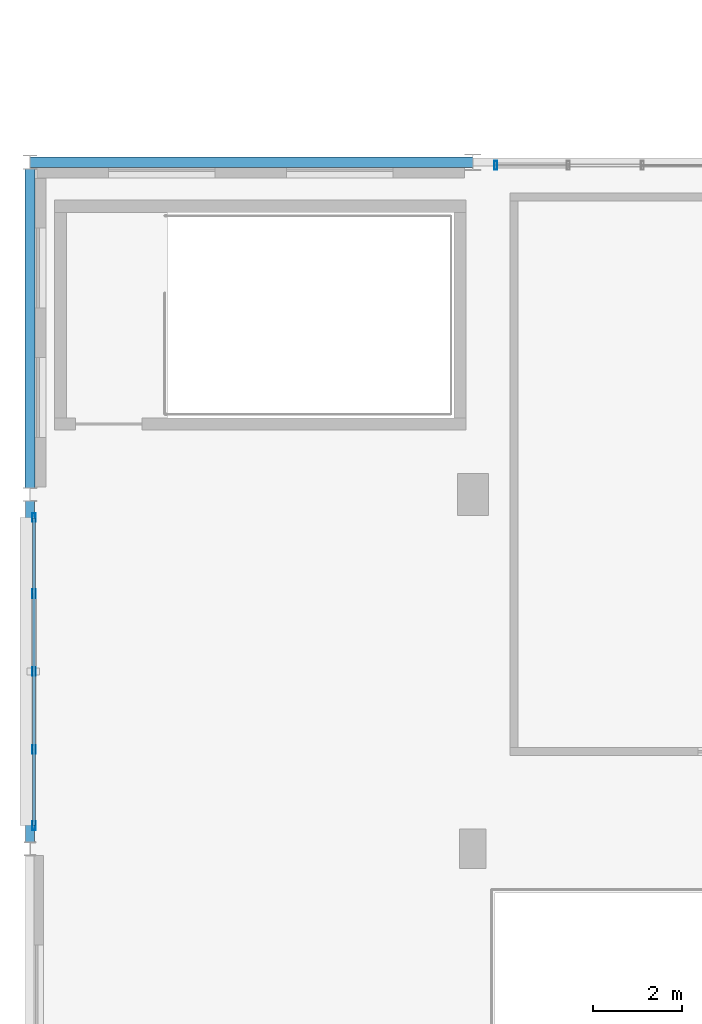
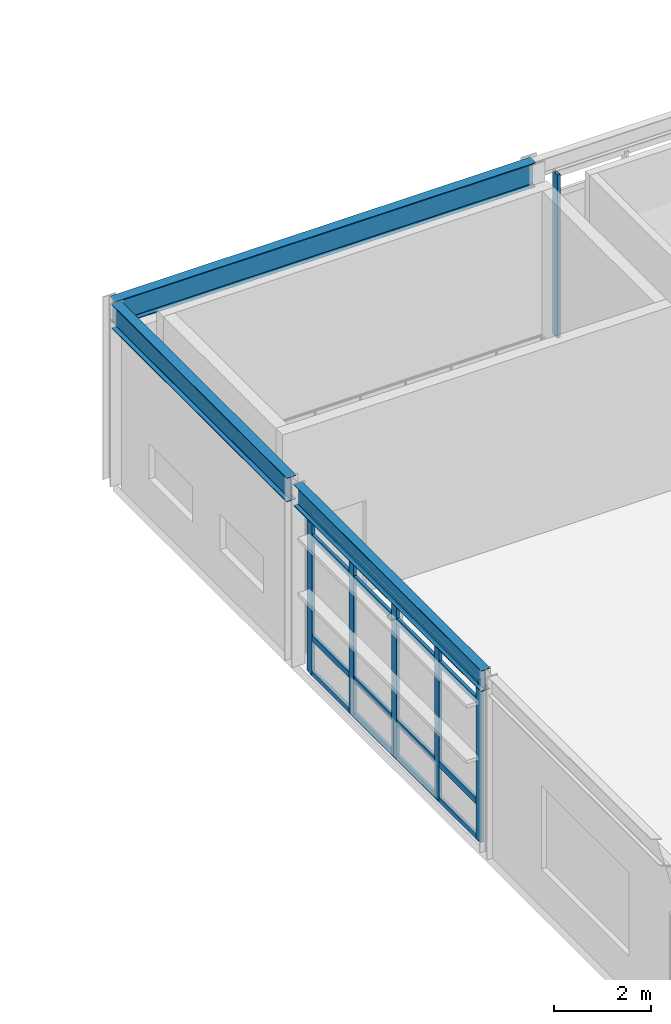
# One storey, part 33 of 200: 10 members, 3 beams, 2 elements without a shape of their own.
"""IFC4 building model written with IfcOpenShell, lengths in metres."""

from ifc_helpers import new_model, si_unit, direction, frame, origin, origin_2d, place, context, subcontext, project, spatial, hollow_rectangle, i_section, extrude, material, material_profile, profile_set, type_object, element, aggregate, save


model = new_model("IFC4")

# Units and contexts
model_context = context("Model", 3, precision=1e-05, world=origin(), true_north=direction((0.0, 1.0)))
body_context = subcontext(model_context, "Body", "Model", "MODEL_VIEW")
ifc_project = project(units=[si_unit("LENGTHUNIT", "METRE"), si_unit("AREAUNIT", "SQUARE_METRE"), si_unit("VOLUMEUNIT", "CUBIC_METRE"), si_unit("PLANEANGLEUNIT", "RADIAN"), si_unit("MASSUNIT", "GRAM", prefix="KILO"), si_unit("THERMODYNAMICTEMPERATUREUNIT", "KELVIN"), si_unit("POWERUNIT", "WATT")], contexts=[model_context])

# Site, building, storey
site_placement = place(None, origin())
site = spatial("IfcSite", under=ifc_project, at=site_placement, CompositionType="ELEMENT")
building_placement = place(site_placement, origin())
building = spatial("IfcBuilding", under=site, at=building_placement, Name="Tepalcoro Natatorium and Aquatics Centre", CompositionType="ELEMENT")
storey_placement = place(building_placement, frame((0.0, 0.0, 5.39990234375)))
storey = spatial("IfcBuildingStorey", under=building, at=storey_placement, Name="L01", CompositionType="ELEMENT", Elevation=5.39990234375)

# Curtain wall, member
ifc_material_1 = material(Name="Bronze-Anodised Extruded Aluminium Alloy EN AW-6063 T6", Category="aluminium")
curtain_wall_type_1 = type_object("IfcCurtainWallType", Name="CW_LEAN_T1_EW", PredefinedType="USERDEFINED", material=ifc_material_1)
curtain_wall_1_placement = place(storey_placement, origin())
curtain_wall_1 = element("IfcCurtainWall", 1, at=curtain_wall_1_placement, inside=storey, type_object=curtain_wall_type_1, Name="V3 L01 N Unitised Curtain Wall Bay 2", ObjectType="FACETED SOLAR GLAZING", PredefinedType="USERDEFINED")
ifc_material_profile_1 = material_profile(ifc_material_1, hollow_rectangle(XDim=0.070068359375, YDim=0.199951171875, WallThickness=0.0048828125, at=origin_2d()), Name="AL70X200X5")
ifc_profile_set_1 = profile_set([ifc_material_profile_1], Name="Bronze-Anodised Extruded Aluminium Alloy EN AW-6063 T6")
member_type_1 = type_object("IfcMemberType", Name="CW_MUL_70x200", PredefinedType="MULLION", material=ifc_profile_set_1)
member_1_placement = place(storey_placement, frame((10.52001953125, 51.4287109375, 0.02001953125), z_axis=(0.0, 0.0, 1.0), x_axis=(1.0, 0.0, 0.0)))
member_1 = element("IfcMember", 2, at=member_1_placement, type_object=member_type_1, Name="CW_LEAN_T1_EW Curtain Wall Mullion", PredefinedType="MULLION", context=body_context, shape_type="SweptSolid", body=[
    extrude(hollow_rectangle(XDim=0.070068359375, YDim=0.199951171875, WallThickness=0.0048828125, at=origin_2d()), origin(), (0.0, 0.0, 1.0), 4.1171875),
])
aggregate(curtain_wall_1, [member_1])

# Curtain wall, members
curtain_wall_type_2 = type_object("IfcCurtainWallType", Name="CW_LEAN_T2_EW", PredefinedType="USERDEFINED", material=ifc_material_1)
curtain_wall_2_placement = place(storey_placement, origin())
curtain_wall_2 = element("IfcCurtainWall", 3, at=curtain_wall_2_placement, inside=storey, type_object=curtain_wall_type_2, Name="V3 L01 W Unitised Curtain Wall Bay 5", ObjectType="FACETED SOLAR GLAZING", PredefinedType="USERDEFINED")
member_2_placement = place(storey_placement, frame((0.090087890625, 36.52001953125, 0.02001953125), z_axis=(0.0, 0.0, 1.0), x_axis=(1.0, 0.0, 0.0)))
member_2 = element("IfcMember", 4, at=member_2_placement, type_object=member_type_1, Name="CW_LEAN_T2_EW Curtain Wall Mullion", PredefinedType="MULLION", context=body_context, shape_type="SweptSolid", body=[
    extrude(hollow_rectangle(XDim=0.070068359375, YDim=0.199951171875, WallThickness=0.0048828125, at=origin_2d()), origin(), (0.0, 0.0, 1.0), 3.994140625),
])
member_3_placement = place(storey_placement, frame((0.090087890625, 38.239990234375, 0.02001953125), z_axis=(0.0, 0.0, 1.0), x_axis=(1.0, 0.0, 0.0)))
member_3 = element("IfcMember", 5, at=member_3_placement, type_object=member_type_1, Name="CW_LEAN_T2_EW Curtain Wall Mullion", PredefinedType="MULLION", context=body_context, shape_type="SweptSolid", body=[
    extrude(hollow_rectangle(XDim=0.070068359375, YDim=0.199951171875, WallThickness=0.0048828125, at=origin_2d()), origin(), (0.0, 0.0, 1.0), 3.994140625),
])
member_4_placement = place(storey_placement, frame((0.090087890625, 40.0, 0.02001953125), z_axis=(0.0, 0.0, 1.0), x_axis=(1.0, 0.0, 0.0)))
member_4 = element("IfcMember", 6, at=member_4_placement, type_object=member_type_1, Name="CW_LEAN_T2_EW Curtain Wall Mullion", PredefinedType="MULLION", context=body_context, shape_type="SweptSolid", body=[
    extrude(hollow_rectangle(XDim=0.070068359375, YDim=0.199951171875, WallThickness=0.0048828125, at=origin_2d()), origin(), (0.0, 0.0, 1.0), 3.994140625),
])
member_5_placement = place(storey_placement, frame((0.090087890625, 41.760009765625, 0.02001953125), z_axis=(0.0, 0.0, 1.0), x_axis=(1.0, 0.0, 0.0)))
member_5 = element("IfcMember", 7, at=member_5_placement, type_object=member_type_1, Name="CW_LEAN_T2_EW Curtain Wall Mullion", PredefinedType="MULLION", context=body_context, shape_type="SweptSolid", body=[
    extrude(hollow_rectangle(XDim=0.070068359375, YDim=0.199951171875, WallThickness=0.0048828125, at=origin_2d()), origin(), (0.0, 0.0, 1.0), 3.994140625),
])
member_6_placement = place(storey_placement, frame((0.090087890625, 43.47998046875, 0.02001953125), z_axis=(0.0, 0.0, 1.0), x_axis=(1.0, 0.0, 0.0)))
member_6 = element("IfcMember", 8, at=member_6_placement, type_object=member_type_1, Name="CW_LEAN_T2_EW Curtain Wall Mullion", PredefinedType="MULLION", context=body_context, shape_type="SweptSolid", body=[
    extrude(hollow_rectangle(XDim=0.070068359375, YDim=0.199951171875, WallThickness=0.0048828125, at=origin_2d()), origin(), (0.0, 0.0, 1.0), 3.994140625),
])
ifc_material_profile_2 = material_profile(ifc_material_1, hollow_rectangle(XDim=0.070068359375, YDim=0.14990234375, WallThickness=0.00390625, at=origin_2d()), Name="AL70X150X4")
ifc_profile_set_2 = profile_set([ifc_material_profile_2], Name="Bronze-Anodised Extruded Aluminium Alloy EN AW-6063 T6")
member_type_2 = type_object("IfcMemberType", Name="CW_TRN_70x150", PredefinedType="USERDEFINED", material=ifc_profile_set_2)
member_7_placement = place(storey_placement, frame((0.090087890625, 36.530029296875, 0.050048828125), z_axis=(0.0, 1.0, 0.0), x_axis=(-1.0, 0.0, 0.0)))
member_7 = element("IfcMember", 9, at=member_7_placement, type_object=member_type_2, Name="CW_LEAN_T2_EW Curtain Wall Transom", ObjectType="TRANSOM", PredefinedType="USERDEFINED", context=body_context, shape_type="SweptSolid", body=[
    extrude(hollow_rectangle(XDim=0.070068359375, YDim=0.14990234375, WallThickness=0.00390625, at=origin_2d()), origin(), (0.0, 0.0, 1.0), 6.93994140625),
])
member_8_placement = place(storey_placement, frame((0.090087890625, 36.530029296875, 0.9501953125), z_axis=(0.0, 1.0, 0.0), x_axis=(-1.0, 0.0, 0.0)))
member_8 = element("IfcMember", 10, at=member_8_placement, type_object=member_type_2, Name="CW_LEAN_T2_EW Curtain Wall Transom", ObjectType="TRANSOM", PredefinedType="USERDEFINED", context=body_context, shape_type="SweptSolid", body=[
    extrude(hollow_rectangle(XDim=0.070068359375, YDim=0.14990234375, WallThickness=0.00390625, at=origin_2d()), origin(), (0.0, 0.0, 1.0), 6.93994140625),
])
member_9_placement = place(storey_placement, frame((0.090087890625, 36.530029296875, 3.484130859375), z_axis=(0.0, 1.0, 0.0), x_axis=(-1.0, 0.0, 0.0)))
member_9 = element("IfcMember", 11, at=member_9_placement, type_object=member_type_2, Name="CW_LEAN_T2_EW Curtain Wall Transom", ObjectType="TRANSOM", PredefinedType="USERDEFINED", context=body_context, shape_type="SweptSolid", body=[
    extrude(hollow_rectangle(XDim=0.070068359375, YDim=0.14990234375, WallThickness=0.00390625, at=origin_2d()), origin(), (0.0, 0.0, 1.0), 6.93994140625),
])
member_10_placement = place(storey_placement, frame((0.090087890625, 36.530029296875, 3.984130859375), z_axis=(0.0, 1.0, 0.0), x_axis=(-1.0, 0.0, 0.0)))
member_10 = element("IfcMember", 12, at=member_10_placement, type_object=member_type_2, Name="CW_LEAN_T2_EW Curtain Wall Transom", ObjectType="TRANSOM", PredefinedType="USERDEFINED", context=body_context, shape_type="SweptSolid", body=[
    extrude(hollow_rectangle(XDim=0.070068359375, YDim=0.14990234375, WallThickness=0.00390625, at=origin_2d()), origin(), (0.0, 0.0, 1.0), 6.93994140625),
])
aggregate(curtain_wall_2, [member_2, member_3, member_4, member_5, member_6, member_7, member_8, member_9, member_10])

# Beams
ifc_material_2 = material(Name="Steel ASTM A992 Grade 50 (Fy 345 MPa)", Category="steel")
ifc_material_profile_3 = material_profile(ifc_material_2, i_section(OverallWidth=0.2099609375, OverallDepth=0.535888671875, WebThickness=0.010986328125, FlangeThickness=0.01708984375, FilletRadius=0.013916015625, at=origin_2d()), Name="W21X68")
ifc_profile_set_3 = profile_set([ifc_material_profile_3], Name="Steel ASTM A992 Grade 50 (Fy 345 MPa)")
beam_type_1 = type_object("IfcBeamType", Name="SP_W21x68", PredefinedType="SPANDREL", material=ifc_profile_set_3)
beam_1_placement = place(storey_placement, frame((0.0, 36.132568359375, 4.317138671875), z_axis=(0.0, 1.0, 0.0), x_axis=(-1.0, 0.0, 0.0)))
element("IfcBeam", 13, at=beam_1_placement, inside=storey, type_object=beam_type_1, Name="V3 L01 Grid Girder Y", PredefinedType="SPANDREL", context=body_context, shape_type="SweptSolid", body=[
    extrude(i_section(OverallWidth=0.2099609375, OverallDepth=0.535888671875, WebThickness=0.010986328125, FlangeThickness=0.01708984375, FilletRadius=0.013916015625, at=origin_2d()), origin(), (0.0, 0.0, 1.0), 7.73095703125),
])
ifc_material_profile_4 = material_profile(ifc_material_2, i_section(OverallWidth=0.22900390625, OverallDepth=0.612060546875, WebThickness=0.011962890625, FlangeThickness=0.02001953125, FilletRadius=0.013916015625, at=origin_2d()), Name="W24X84")
ifc_profile_set_4 = profile_set([ifc_material_profile_4], Name="Steel ASTM A992 Grade 50 (Fy 345 MPa)")
beam_type_2 = type_object("IfcBeamType", Name="SP_W24x84", PredefinedType="SPANDREL", material=ifc_profile_set_4)
beam_2_placement = place(storey_placement, frame((0.0, 51.5, 4.279052734375), z_axis=(1.0, 0.0, 0.0), x_axis=(0.0, 1.0, 0.0)))
element("IfcBeam", 14, at=beam_2_placement, inside=storey, type_object=beam_type_2, Name="V3 L01 Grid Girder X", PredefinedType="SPANDREL", context=body_context, shape_type="SweptSolid", body=[
    extrude(i_section(OverallWidth=0.22900390625, OverallDepth=0.612060546875, WebThickness=0.011962890625, FlangeThickness=0.02001953125, FilletRadius=0.013916015625, at=origin_2d()), origin(), (0.0, 0.0, 1.0), 10.0),
])
beam_3_placement = place(storey_placement, frame((0.0, 44.136474609375, 4.279052734375), z_axis=(0.0, 1.0, 0.0), x_axis=(-1.0, 0.0, 0.0)))
element("IfcBeam", 15, at=beam_3_placement, inside=storey, type_object=beam_type_2, Name="V3 L01 Grid Girder Y", PredefinedType="SPANDREL", context=body_context, shape_type="SweptSolid", body=[
    extrude(i_section(OverallWidth=0.22900390625, OverallDepth=0.612060546875, WebThickness=0.011962890625, FlangeThickness=0.02001953125, FilletRadius=0.013916015625, at=origin_2d()), origin(), (0.0, 0.0, 1.0), 7.220458984375),
])

save(model, "model.ifc")
